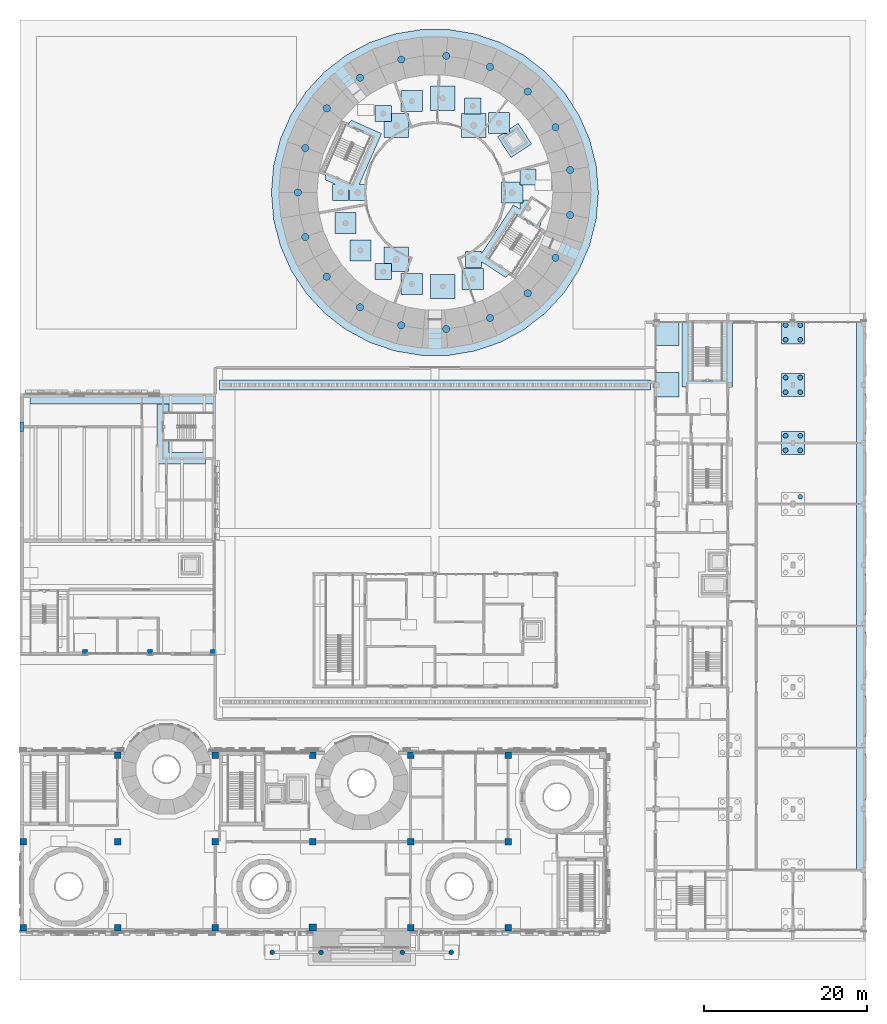
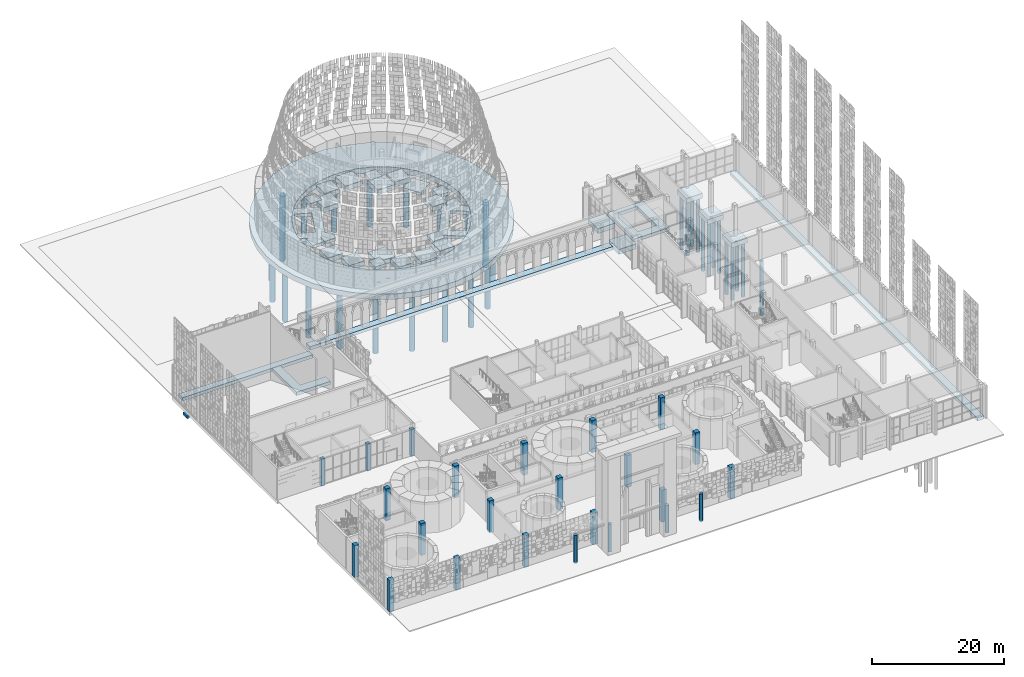
# One storey, part 2 of 125: 32 piles, 31 footings, 24 columns.
"""IFC4 building model written with IfcOpenShell, lengths in metres."""

from ifc_helpers import new_model, si_unit, direction, frame, origin, origin_2d, place, context, subcontext, project, spatial, polyline, rectangle, circle, outline, extrude, material, material_profile, profile_set, type_object, element, save


model = new_model("IFC4")

# Units and contexts
model_context = context("Model", 3, precision=1e-05, world=origin(), true_north=direction((0.0, 1.0)))
body_context = subcontext(model_context, "Body", "Model", "MODEL_VIEW")
ifc_project = project(units=[si_unit("LENGTHUNIT", "METRE"), si_unit("AREAUNIT", "SQUARE_METRE"), si_unit("VOLUMEUNIT", "CUBIC_METRE"), si_unit("PLANEANGLEUNIT", "RADIAN"), si_unit("MASSUNIT", "GRAM", prefix="KILO")], contexts=[model_context])

# Site, building, storey
site_placement = place(None, origin())
site = spatial("IfcSite", under=ifc_project, at=site_placement, CompositionType="ELEMENT")
building_placement = place(site_placement, origin())
building = spatial("IfcBuilding", under=site, at=building_placement, Name="Sun Court Science Centre", CompositionType="ELEMENT")
storey_placement = place(building_placement, origin())
storey = spatial("IfcBuildingStorey", under=building, at=storey_placement, Name="L00", CompositionType="ELEMENT", Elevation=0.0)

# Footing
ifc_material_1 = material(Name="Concrete C30/37", Category="concrete")
footing_type_1 = type_object("IfcFootingType", Name="Arcade strip footing 1200", PredefinedType="STRIP_FOOTING", material=ifc_material_1)
footing_1_placement = place(storey_placement, frame((51.0, 73.14990234375, -0.60009765625), z_axis=(0.0, 0.0, 1.0), x_axis=(1.0, 0.0, 0.0)))
element("IfcFooting", 1, at=footing_1_placement, inside=storey, type_object=footing_type_1, Name="Arcade strip footing AR2", PredefinedType="STRIP_FOOTING", context=body_context, shape_type="SweptSolid", body=[
    extrude(rectangle(XDim=53.0, YDim=1.199951171875, at=origin_2d()), origin(), (0.0, 0.0, 1.0), 0.60009765625),
])

# Piles
ifc_material_2 = material(Name="Concrete C30/37", Category="concrete")
ifc_material_profile_1 = material_profile(ifc_material_2, circle(Radius=0.300048828125, at=origin_2d()), Name="RC D600")
ifc_profile_set_1 = profile_set([ifc_material_profile_1], Name="Concrete C30/37")
pile_type_1 = type_object("IfcPileType", Name="Bored pile D600", PredefinedType="BORED", material=ifc_profile_set_1)
for number, where, z_axis, x_axis, name in (
    (2, (95.89990234375, 59.39990234375, -1.0), (0.0, 0.0, -1.0), (1.0, 0.0, 0.0), "Bored pile 15P 3"),
    (3, (94.10009765625, 65.10009765625, -1.0), (0.0, 0.0, -1.0), (1.0, 0.0, 0.0), "Bored pile 15R 1"),
    (4, (95.89990234375, 65.10009765625, -1.0), (0.0, 0.0, -1.0), (1.0, 0.0, 0.0), "Bored pile 15R 2"),
    (5, (95.89990234375, 66.89990234375, -1.0), (0.0, 0.0, -1.0), (1.0, 0.0, 0.0), "Bored pile 15R 3"),
    (6, (94.10009765625, 66.89990234375, -1.0), (0.0, 0.0, -1.0), (1.0, 0.0, 0.0), "Bored pile 15R 4"),
    (7, (94.10009765625, 72.25, -1.0), (0.0, 0.0, -1.0), (1.0, 0.0, 0.0), "Bored pile 15U 1"),
    (8, (95.89990234375, 72.25, -1.0), (0.0, 0.0, -1.0), (1.0, 0.0, 0.0), "Bored pile 15U 2"),
    (9, (95.89990234375, 74.050048828125, -1.0), (0.0, 0.0, -1.0), (1.0, 0.0, 0.0), "Bored pile 15U 3"),
    (10, (94.10009765625, 74.050048828125, -1.0), (0.0, 0.0, -1.0), (1.0, 0.0, 0.0), "Bored pile 15U 4"),
    (11, (94.10009765625, 78.699951171875, -1.0), (0.0, 0.0, -1.0), (1.0, 0.0, 0.0), "Bored pile 15V 1"),
    (12, (95.89990234375, 78.699951171875, -1.0), (0.0, 0.0, -1.0), (1.0, 0.0, 0.0), "Bored pile 15V 2"),
    (13, (95.89990234375, 80.5, -1.0), (0.0, 0.0, -1.0), (1.0, 0.0, 0.0), "Bored pile 15V 3"),
    (14, (94.10009765625, 80.5, -1.0), (0.0, 0.0, -1.0), (1.0, 0.0, 0.0), "Bored pile 15V 4"),
):
    element("IfcPile", number, at=place(storey_placement, frame(where, z_axis=z_axis, x_axis=x_axis)), inside=storey, type_object=pile_type_1, Name=name, PredefinedType="BORED", context=body_context, shape_type="SweptSolid", body=[
        extrude(circle(Radius=0.300048828125, at=origin_2d()), origin(), (0.0, 0.0, 1.0), 10.10009765625),
    ])
ifc_material_3 = material(Name="Concrete C30/37", Category="concrete")
ifc_material_profile_2 = material_profile(ifc_material_3, circle(Radius=0.449951171875, at=origin_2d()), Name="RC D900")
ifc_profile_set_2 = profile_set([ifc_material_profile_2], Name="Concrete C30/37")
pile_type_2 = type_object("IfcPileType", Name="Bored pile D900", PredefinedType="BORED", material=ifc_profile_set_2)
for number, where, z_axis, x_axis, name in (
    (15, (67.619384765625, 99.5732421875, -1.10009765625), (0.0, 0.0, -1.0), (1.0, 0.0, 0.0), "Drum bored pile 1"),
    (16, (65.818359375, 104.8193359375, -1.10009765625), (0.0, 0.0, -1.0), (1.0, 0.0, 0.0), "Drum bored pile 2"),
    (17, (62.41162109375, 109.1962890625, -1.10009765625), (0.0, 0.0, -1.0), (1.0, 0.0, 0.0), "Drum bored pile 3"),
    (18, (57.768310546875, 112.22998046875, -1.10009765625), (0.0, 0.0, -1.0), (1.0, 0.0, 0.0), "Drum bored pile 4"),
    (19, (52.391357421875, 113.591552734375, -1.10009765625), (0.0, 0.0, -1.0), (1.0, 0.0, 0.0), "Drum bored pile 5"),
    (20, (46.86376953125, 113.133544921875, -1.10009765625), (0.0, 0.0, -1.0), (1.0, 0.0, 0.0), "Drum bored pile 6"),
    (21, (41.784423828125, 110.905517578125, -1.10009765625), (0.0, 0.0, -1.0), (1.0, 0.0, 0.0), "Drum bored pile 7"),
    (22, (37.70361328125, 107.14892578125, -1.10009765625), (0.0, 0.0, -1.0), (1.0, 0.0, 0.0), "Drum bored pile 8"),
    (23, (35.063720703125, 102.27099609375, -1.10009765625), (0.0, 0.0, -1.0), (1.0, 0.0, 0.0), "Drum bored pile 9"),
    (24, (34.15087890625, 96.800048828125, -1.10009765625), (0.0, 0.0, -1.0), (1.0, 0.0, 0.0), "Drum bored pile 10"),
    (25, (35.063720703125, 91.3291015625, -1.10009765625), (0.0, 0.0, -1.0), (1.0, 0.0, 0.0), "Drum bored pile 11"),
    (26, (37.70361328125, 86.450927734375, -1.10009765625), (0.0, 0.0, -1.0), (1.0, 0.0, 0.0), "Drum bored pile 12"),
    (27, (41.784423828125, 82.694580078125, -1.10009765625), (0.0, 0.0, -1.0), (1.0, 0.0, 0.0), "Drum bored pile 13"),
    (28, (46.86376953125, 80.466552734375, -1.10009765625), (0.0, 0.0, -1.0), (1.0, 0.0, 0.0), "Drum bored pile 14"),
    (29, (52.391357421875, 80.00830078125, -1.10009765625), (0.0, 0.0, -1.0), (1.0, 0.0, 0.0), "Drum bored pile 15"),
    (30, (57.768310546875, 81.3701171875, -1.10009765625), (0.0, 0.0, -1.0), (1.0, 0.0, 0.0), "Drum bored pile 16"),
    (31, (62.41162109375, 84.403564453125, -1.10009765625), (0.0, 0.0, -1.0), (1.0, 0.0, 0.0), "Drum bored pile 17"),
    (32, (65.818359375, 88.78076171875, -1.10009765625), (0.0, 0.0, -1.0), (1.0, 0.0, 0.0), "Drum bored pile 18"),
    (33, (67.619384765625, 94.026611328125, -1.10009765625), (0.0, 0.0, -1.0), (1.0, 0.0, 0.0), "Drum bored pile 19"),
):
    element("IfcPile", number, at=place(storey_placement, frame(where, z_axis=z_axis, x_axis=x_axis)), inside=storey, type_object=pile_type_2, Name=name, PredefinedType="BORED", context=body_context, shape_type="SweptSolid", body=[
        extrude(circle(Radius=0.449951171875, at=origin_2d()), origin(), (0.0, 0.0, 1.0), 12.10009765625),
    ])

# Footings
ifc_material_4 = material(Name="Concrete C30/37", Category="concrete")
footing_type_2 = type_object("IfcFootingType", Name="Lift pit mat", PredefinedType="PAD_FOOTING", material=ifc_material_4)
footing_2_placement = place(storey_placement, frame((0.0, 0.0, -1.89990234375)))
element("IfcFooting", 34, at=footing_2_placement, inside=storey, type_object=footing_type_2, Name="Lift pit mat footing", PredefinedType="PAD_FOOTING", context=body_context, shape_type="SweptSolid", body=[
    extrude(outline(polyline([(60.35595703125, 101.105712890625), (62.888427734375, 102.76025390625), (61.23388671875, 105.292724609375), (58.701416015625, 103.63818359375), (60.35595703125, 101.105712890625)])), origin(), (0.0, 0.0, 1.0), 0.5),
])
ifc_material_5 = material(Name="Concrete C30/37", Category="concrete")
footing_type_3 = type_object("IfcFootingType", Name="Pad footing 2600 2600 900", PredefinedType="PAD_FOOTING", material=ifc_material_5)
for number, where, z_axis, x_axis, name in (
    (35, (60.5, 96.800048828125, -1.099853515625), (0.0, 0.0, 1.0), (1.0, 0.0, 0.0), "Pad footing A1"),
    (36, (58.8564453125, 105.33447265625, -1.099853515625), (0.0, 0.0, 1.0), (1.0, 0.0, 0.0), "Pad footing B03"),
    (37, (48.15234375, 108.044921875, -1.099853515625), (0.0, 0.0, 1.0), (1.0, 0.0, 0.0), "Pad footing B06"),
    (38, (40.028564453125, 93.033447265625, -1.099853515625), (0.0, 0.0, 1.0), (1.0, 0.0, 0.0), "Pad footing B11"),
    (39, (41.845947265625, 89.675048828125, -1.099853515625), (0.0, 0.0, 1.0), (1.0, 0.0, 0.0), "Pad footing B12"),
    (40, (48.15234375, 85.554931640625, -1.099853515625), (0.0, 0.0, 1.0), (1.0, 0.0, 0.0), "Pad footing B14"),
    (41, (55.65966796875, 86.177001953125, -1.099853515625), (0.0, 0.0, 1.0), (1.0, 0.0, 0.0), "Pad footing B16"),
):
    element("IfcFooting", number, at=place(storey_placement, frame(where, z_axis=z_axis, x_axis=x_axis)), inside=storey, type_object=footing_type_3, Name=name, PredefinedType="PAD_FOOTING", context=body_context, shape_type="SweptSolid", body=[
        extrude(rectangle(XDim=2.60009765625, YDim=2.60009765625, at=origin_2d()), origin(), (0.0, 0.0, 1.0), 0.89990234375),
    ])
ifc_material_6 = material(Name="Concrete C30/37", Category="concrete")
footing_type_4 = type_object("IfcFootingType", Name="Pad footing 3000 3000 900", PredefinedType="PAD_FOOTING", material=ifc_material_6)
for number, where, z_axis, x_axis, name in (
    (42, (79.5, 73.14990234375, -1.099853515625), (0.0, 0.0, 1.0), (1.0, 0.0, 0.0), "Pad footing 12U"),
    (43, (79.5, 79.5, -1.099853515625), (0.0, 0.0, 1.0), (1.0, 0.0, 0.0), "Pad footing 12V"),
    (44, (55.75, 105.02734375, -1.099853515625), (0.0, 0.0, 1.0), (1.0, 0.0, 0.0), "Pad footing A2"),
    (45, (46.25, 105.02734375, -1.099853515625), (0.0, 0.0, 1.0), (1.0, 0.0, 0.0), "Pad footing A3"),
    (46, (46.25, 88.57275390625, -1.099853515625), (0.0, 0.0, 1.0), (1.0, 0.0, 0.0), "Pad footing A5"),
    (47, (51.9580078125, 108.3603515625, -1.099853515625), (0.0, 0.0, 1.0), (1.0, 0.0, 0.0), "Pad footing B05"),
    (48, (51.9580078125, 85.239501953125, -1.099853515625), (0.0, 0.0, 1.0), (1.0, 0.0, 0.0), "Pad footing B15"),
):
    element("IfcFooting", number, at=place(storey_placement, frame(where, z_axis=z_axis, x_axis=x_axis)), inside=storey, type_object=footing_type_4, Name=name, PredefinedType="PAD_FOOTING", context=body_context, shape_type="SweptSolid", body=[
        extrude(rectangle(XDim=3.0, YDim=3.0, at=origin_2d()), origin(), (0.0, 0.0, 1.0), 0.89990234375),
    ])
ifc_material_7 = material(Name="Concrete C30/37", Category="concrete")
footing_type_5 = type_object("IfcFootingType", Name="Pile cap 2800 2800 900", PredefinedType="PILE_CAP", material=ifc_material_7)
for number, where, z_axis, x_axis, name in (
    (49, (95.0, 66.0, -1.099853515625), (0.0, 0.0, 1.0), (1.0, 0.0, 0.0), "Pile cap 15R"),
    (50, (95.0, 73.14990234375, -1.099853515625), (0.0, 0.0, 1.0), (1.0, 0.0, 0.0), "Pile cap 15U"),
    (51, (95.0, 79.60009765625, -1.099853515625), (0.0, 0.0, 1.0), (1.0, 0.0, 0.0), "Pile cap 15V"),
):
    element("IfcFooting", number, at=place(storey_placement, frame(where, z_axis=z_axis, x_axis=x_axis)), inside=storey, type_object=footing_type_5, Name=name, PredefinedType="PILE_CAP", context=body_context, shape_type="SweptSolid", body=[
        extrude(rectangle(XDim=2.800048828125, YDim=2.800048828125, at=origin_2d()), origin(), (0.0, 0.0, 1.0), 0.89990234375),
    ])
ifc_material_8 = material(Name="Concrete C30/37", Category="concrete")
footing_type_6 = type_object("IfcFootingType", Name="Ring pile cap", PredefinedType="PILE_CAP", material=ifc_material_8)
footing_3_placement = place(storey_placement, frame((0.0, 0.0, -1.199951171875)))
element("IfcFooting", 52, at=footing_3_placement, inside=storey, type_object=footing_type_6, Name="Drum ring pile cap", PredefinedType="PILE_CAP", context=body_context, shape_type="SweptSolid", body=[
    extrude(outline(polyline([(70.825927734375, 100.1083984375), (70.010986328125, 103.326416015625), (68.677490234375, 106.366455078125), (66.86181640625, 109.145751953125), (64.61328125, 111.588134765625), (61.99365234375, 113.626953125), (59.073974609375, 115.20703125), (55.934326171875, 116.284912109375), (52.659912109375, 116.831298828125), (49.340087890625, 116.831298828125), (46.065673828125, 116.284912109375), (42.926025390625, 115.20703125), (40.00634765625, 113.626953125), (37.38671875, 111.588134765625), (35.13818359375, 109.145751953125), (33.322509765625, 106.366455078125), (31.989013671875, 103.326416015625), (31.174072265625, 100.1083984375), (30.89990234375, 96.800048828125), (31.174072265625, 93.49169921875), (31.989013671875, 90.2734375), (33.322509765625, 87.2333984375), (35.13818359375, 84.454345703125), (37.38671875, 82.011962890625), (40.00634765625, 79.972900390625), (42.926025390625, 78.39306640625), (46.065673828125, 77.31494140625), (49.340087890625, 76.7685546875), (52.659912109375, 76.7685546875), (55.934326171875, 77.31494140625), (59.073974609375, 78.39306640625), (61.99365234375, 79.972900390625), (64.61328125, 82.011962890625), (66.86181640625, 84.454345703125), (68.677490234375, 87.2333984375), (70.010986328125, 90.2734375), (70.825927734375, 93.49169921875), (71.10009765625, 96.800048828125), (70.825927734375, 100.1083984375)]), holes=[polyline([(64.412841796875, 99.0380859375), (64.598388671875, 96.800048828125), (64.412841796875, 94.561767578125), (63.861572265625, 92.384765625), (62.959228515625, 90.327880859375), (61.73095703125, 88.44775390625), (60.2099609375, 86.79541015625), (58.4375, 85.416015625), (56.46240234375, 84.34716796875), (54.338134765625, 83.617919921875), (52.123046875, 83.248046875), (49.876953125, 83.248046875), (47.661865234375, 83.617919921875), (45.53759765625, 84.34716796875), (43.5625, 85.416015625), (41.7900390625, 86.79541015625), (40.26904296875, 88.44775390625), (39.040771484375, 90.327880859375), (38.138427734375, 92.384765625), (37.587158203125, 94.561767578125), (37.401611328125, 96.800048828125), (37.587158203125, 99.0380859375), (38.138427734375, 101.21533203125), (39.040771484375, 103.27197265625), (40.26904296875, 105.15234375), (41.7900390625, 106.8046875), (43.5625, 108.18408203125), (45.53759765625, 109.2529296875), (47.661865234375, 109.982177734375), (49.876953125, 110.351806640625), (52.123046875, 110.351806640625), (54.338134765625, 109.982177734375), (56.46240234375, 109.2529296875), (58.4375, 108.18408203125), (60.2099609375, 106.8046875), (61.73095703125, 105.15234375), (62.959228515625, 103.27197265625), (63.861572265625, 101.21533203125), (64.412841796875, 99.0380859375)])]), origin(), (0.0, 0.0, 1.0), 1.0),
])
ifc_material_9 = material(Name="Concrete C30/37", Category="concrete")
footing_type_7 = type_object("IfcFootingType", Name="Strip footing", PredefinedType="STRIP_FOOTING", material=ifc_material_9)
footing_4_placement = place(storey_placement, frame((0.0, 0.0, -0.800048828125)))
element("IfcFooting", 53, at=footing_4_placement, inside=storey, type_object=footing_type_7, Name="Strip footing", PredefinedType="STRIP_FOOTING", context=body_context, shape_type="SweptSolid", body=[
    extrude(outline(polyline([(87.60009765625, 72.89990234375), (87.60009765625, 81.0), (81.39990234375, 81.0), (81.39990234375, 72.89990234375), (87.60009765625, 72.89990234375)]), holes=[polyline([(86.14990234375, 80.14990234375), (86.14990234375, 74.35009765625), (82.85009765625, 74.35009765625), (82.85009765625, 80.14990234375), (86.14990234375, 80.14990234375)])]), origin(), (0.0, 0.0, 1.0), 0.60009765625),
])
footing_5_placement = place(storey_placement, frame((0.0, 0.0, -0.800048828125)))
element("IfcFooting", 54, at=footing_5_placement, inside=storey, type_object=footing_type_7, Name="Strip footing", PredefinedType="STRIP_FOOTING", context=body_context, shape_type="SweptSolid", body=[
    extrude(outline(polyline([(104.0, 81.0), (102.800048828125, 81.0), (102.800048828125, 6.0), (104.0, 6.0), (104.0, 81.0)])), origin(), (0.0, 0.0, 1.0), 0.60009765625),
])
footing_6_placement = place(storey_placement, frame((0.0, 0.0, -0.800048828125)))
element("IfcFooting", 55, at=footing_6_placement, inside=storey, type_object=footing_type_7, Name="Theatre strip footing", PredefinedType="STRIP_FOOTING", context=body_context, shape_type="SweptSolid", body=[
    extrude(outline(polyline([(24.0, 72.0), (1.199951171875, 72.0), (1.199951171875, 70.800048828125), (24.0, 70.800048828125), (24.0, 72.0)])), origin(), (0.0, 0.0, 1.0), 0.60009765625),
])
footing_7_placement = place(storey_placement, frame((0.0, 0.0, -0.800048828125)))
element("IfcFooting", 56, at=footing_7_placement, inside=storey, type_object=footing_type_7, Name="Theatre strip footing", PredefinedType="STRIP_FOOTING", context=body_context, shape_type="SweptSolid", body=[
    extrude(outline(polyline([(16.85009765625, 70.800048828125), (16.85009765625, 63.39990234375), (22.800048828125, 63.39990234375), (22.800048828125, 64.85009765625), (18.300048828125, 64.85009765625), (18.300048828125, 70.800048828125), (16.85009765625, 70.800048828125)])), origin(), (0.0, 0.0, 1.0), 0.60009765625),
])
footing_8_placement = place(storey_placement, frame((0.0, 0.0, -1.622314453125)))
element("IfcFooting", 57, at=footing_8_placement, inside=storey, type_object=footing_type_7, Name="Stage-front strip footing", PredefinedType="STRIP_FOOTING", context=body_context, shape_type="SweptSolid", body=[
    extrude(outline(polyline([(0.0, 67.39990234375), (0.39990234375, 67.39990234375), (0.39990234375, 68.60009765625), (0.0, 68.60009765625), (0.0, 67.39990234375)])), origin(), (0.0, 0.0, 1.0), 0.5),
])
footing_9_placement = place(storey_placement, frame((0.0, 0.0, -0.800048828125)))
element("IfcFooting", 58, at=footing_9_placement, inside=storey, type_object=footing_type_7, Name="Core strip footing", PredefinedType="STRIP_FOOTING", context=body_context, shape_type="SweptSolid", body=[
    extrude(outline(polyline([(38.39990234375, 95.800048828125), (40.39990234375, 95.800048828125), (40.39990234375, 97.081787109375), (40.5, 97.037841796875), (40.5, 95.800048828125), (42.5, 95.800048828125), (42.5, 97.800048828125), (41.719970703125, 97.800048828125), (44.456298828125, 104.0380859375), (40.742919921875, 105.6669921875), (40.26904296875, 105.15234375), (39.040771484375, 103.27197265625), (38.138427734375, 101.21533203125), (37.587158203125, 99.0380859375), (37.529296875, 98.3408203125), (38.762451171875, 97.800048828125), (38.39990234375, 97.800048828125), (38.39990234375, 95.800048828125)]), holes=[polyline([(40.073486328125, 104.37744140625), (42.546142578125, 103.292724609375), (40.497314453125, 98.622314453125), (38.02490234375, 99.706787109375), (40.073486328125, 104.37744140625)])]), origin(), (0.0, 0.0, 1.0), 0.60009765625),
])
footing_10_placement = place(storey_placement, frame((0.0, 0.0, -0.800048828125)))
element("IfcFooting", 59, at=footing_10_placement, inside=storey, type_object=footing_type_7, Name="Core strip footing", PredefinedType="STRIP_FOOTING", context=body_context, shape_type="SweptSolid", body=[
    extrude(outline(polyline([(45.655517578125, 86.0888671875), (45.655517578125, 88.0888671875), (43.655517578125, 88.0888671875), (43.655517578125, 86.0888671875), (45.655517578125, 86.0888671875)])), origin(), (0.0, 0.0, 1.0), 0.60009765625),
])
footing_11_placement = place(storey_placement, frame((0.0, 0.0, -0.800048828125)))
element("IfcFooting", 60, at=footing_11_placement, inside=storey, type_object=footing_type_7, Name="Core strip footing", PredefinedType="STRIP_FOOTING", context=body_context, shape_type="SweptSolid", body=[
    extrude(outline(polyline([(43.655517578125, 105.51123046875), (45.655517578125, 105.51123046875), (45.655517578125, 107.51123046875), (43.655517578125, 107.51123046875), (43.655517578125, 105.51123046875)])), origin(), (0.0, 0.0, 1.0), 0.60009765625),
])
footing_12_placement = place(storey_placement, frame((0.0, 0.0, -0.800048828125)))
element("IfcFooting", 61, at=footing_12_placement, inside=storey, type_object=footing_type_7, Name="Core strip footing", PredefinedType="STRIP_FOOTING", context=body_context, shape_type="SweptSolid", body=[
    extrude(outline(polyline([(54.65966796875, 106.4228515625), (56.65966796875, 106.4228515625), (56.65966796875, 108.4228515625), (54.65966796875, 108.4228515625), (54.65966796875, 106.4228515625)])), origin(), (0.0, 0.0, 1.0), 0.60009765625),
])
footing_13_placement = place(storey_placement, frame((0.0, 0.0, -0.800048828125)))
element("IfcFooting", 62, at=footing_13_placement, inside=storey, type_object=footing_type_7, Name="Core strip footing", PredefinedType="STRIP_FOOTING", context=body_context, shape_type="SweptSolid", body=[
    extrude(outline(polyline([(56.75, 89.328857421875), (56.75, 89.57275390625), (54.75, 89.57275390625), (54.75, 87.57275390625), (56.75, 87.57275390625), (56.75, 88.265380859375), (59.65771484375, 86.36572265625), (60.2099609375, 86.79541015625), (61.73095703125, 88.44775390625), (62.959228515625, 90.327880859375), (63.861572265625, 92.384765625), (64.033203125, 93.06298828125), (62.766357421875, 93.890625), (63.44189453125, 93.890625), (63.44189453125, 95.890625), (61.44189453125, 95.890625), (61.44189453125, 94.756103515625), (60.638671875, 95.28076171875), (56.75, 89.328857421875)]), holes=[polyline([(60.5302734375, 87.527587890625), (58.27001953125, 89.00439453125), (61.059326171875, 93.27392578125), (63.31982421875, 91.797119140625), (60.5302734375, 87.527587890625)])]), origin(), (0.0, 0.0, 1.0), 0.60009765625),
])
footing_14_placement = place(storey_placement, frame((0.0, 0.0, -0.800048828125)))
element("IfcFooting", 63, at=footing_14_placement, inside=storey, type_object=footing_type_7, Name="Core strip footing", PredefinedType="STRIP_FOOTING", context=body_context, shape_type="SweptSolid", body=[
    extrude(outline(polyline([(63.44189453125, 97.709228515625), (63.44189453125, 99.709228515625), (61.44189453125, 99.709228515625), (61.44189453125, 97.709228515625), (63.44189453125, 97.709228515625)])), origin(), (0.0, 0.0, 1.0), 0.60009765625),
])

# Columns
ifc_material_10 = material(Name="Concrete C30/37", Category="concrete")
ifc_material_profile_3 = material_profile(ifc_material_10, rectangle(XDim=0.60009765625, YDim=0.60009765625, at=origin_2d()), Name="RC 600x600")
ifc_profile_set_3 = profile_set([ifc_material_profile_3], Name="Concrete C30/37")
column_type_1 = type_object("IfcColumnType", Name="RC column 600x600", PredefinedType="COLUMN", material=ifc_profile_set_3)
for number, where, z_axis, x_axis, name in (
    (64, (8.0, 40.300048828125, -0.199951171875), (0.0, 0.0, 1.0), (1.0, 0.0, 0.0), "Foyer column A"),
    (65, (16.0, 40.300048828125, -0.199951171875), (0.0, 0.0, 1.0), (1.0, 0.0, 0.0), "Foyer column B"),
    (66, (23.699951171875, 40.300048828125, -0.199951171875), (0.0, 0.0, 1.0), (1.0, 0.0, 0.0), "Foyer column C"),
):
    element("IfcColumn", number, at=place(storey_placement, frame(where, z_axis=z_axis, x_axis=x_axis)), inside=storey, type_object=column_type_1, Name=name, PredefinedType="COLUMN", context=body_context, shape_type="SweptSolid", body=[
        extrude(rectangle(XDim=0.60009765625, YDim=0.60009765625, at=origin_2d()), origin(), (0.0, 0.0, 1.0), 5.0),
    ])
ifc_material_11 = material(Name="Concrete C30/37", Category="concrete")
ifc_material_profile_4 = material_profile(ifc_material_11, rectangle(XDim=0.800048828125, YDim=0.800048828125, at=origin_2d()), Name="RC 800x800")
ifc_profile_set_4 = profile_set([ifc_material_profile_4], Name="Concrete C30/37")
column_type_2 = type_object("IfcColumnType", Name="RC column 800x800", PredefinedType="COLUMN", material=ifc_profile_set_4)
for number, where, z_axis, x_axis, name in (
    (67, (0.39990234375, 6.39990234375, -0.199951171875), (0.0, 0.0, 1.0), (1.0, 0.0, 0.0), "Column 1A L00"),
    (68, (0.39990234375, 17.0, -0.199951171875), (0.0, 0.0, 1.0), (1.0, 0.0, 0.0), "Column 1C L00"),
    (69, (12.0, 6.39990234375, -0.199951171875), (0.0, 0.0, 1.0), (1.0, 0.0, 0.0), "Column 2A L00"),
    (70, (12.0, 17.0, -0.199951171875), (0.0, 0.0, 1.0), (1.0, 0.0, 0.0), "Column 2C L00"),
    (71, (12.0, 27.60009765625, -0.199951171875), (0.0, 0.0, 1.0), (1.0, 0.0, 0.0), "Column 2E L00"),
    (72, (24.0, 6.39990234375, -0.199951171875), (0.0, 0.0, 1.0), (1.0, 0.0, 0.0), "Column 3A L00"),
    (73, (24.0, 17.0, -0.199951171875), (0.0, 0.0, 1.0), (1.0, 0.0, 0.0), "Column 3C L00"),
    (74, (24.0, 27.60009765625, -0.199951171875), (0.0, 0.0, 1.0), (1.0, 0.0, 0.0), "Column 3E L00"),
    (75, (36.0, 17.0, -0.199951171875), (0.0, 0.0, 1.0), (1.0, 0.0, 0.0), "Column 4C L00"),
    (76, (36.0, 27.60009765625, -0.199951171875), (0.0, 0.0, 1.0), (1.0, 0.0, 0.0), "Column 4E L00"),
    (77, (48.0, 6.39990234375, -0.199951171875), (0.0, 0.0, 1.0), (1.0, 0.0, 0.0), "Column 6A L00"),
    (78, (48.0, 17.0, -0.199951171875), (0.0, 0.0, 1.0), (1.0, 0.0, 0.0), "Column 6C L00"),
    (79, (48.0, 27.60009765625, -0.199951171875), (0.0, 0.0, 1.0), (1.0, 0.0, 0.0), "Column 6E L00"),
    (80, (60.0, 6.39990234375, -0.199951171875), (0.0, 0.0, 1.0), (1.0, 0.0, 0.0), "Column 9A L00"),
    (81, (60.0, 17.0, -0.199951171875), (0.0, 0.0, 1.0), (1.0, 0.0, 0.0), "Column 9C L00"),
    (82, (60.0, 27.60009765625, -0.199951171875), (0.0, 0.0, 1.0), (1.0, 0.0, 0.0), "Column 9E L00"),
):
    element("IfcColumn", number, at=place(storey_placement, frame(where, z_axis=z_axis, x_axis=x_axis)), inside=storey, type_object=column_type_2, Name=name, PredefinedType="COLUMN", context=body_context, shape_type="SweptSolid", body=[
        extrude(rectangle(XDim=0.800048828125, YDim=0.800048828125, at=origin_2d()), origin(), (0.0, 0.0, 1.0), 5.89990234375),
    ])
ifc_material_12 = material(Name="Concrete C30/37", Category="concrete")
ifc_material_profile_5 = material_profile(ifc_material_12, rectangle(XDim=0.89990234375, YDim=0.89990234375, at=origin_2d()), Name="RC 900x900")
ifc_profile_set_5 = profile_set([ifc_material_profile_5], Name="Concrete C30/37")
column_type_3 = type_object("IfcColumnType", Name="RC column 900x900", PredefinedType="COLUMN", material=ifc_profile_set_5)
column_placement = place(storey_placement, frame((36.0, 6.449951171875, -0.199951171875), z_axis=(0.0, 0.0, 1.0), x_axis=(1.0, 0.0, 0.0)))
element("IfcColumn", 83, at=column_placement, inside=storey, type_object=column_type_3, Name="Column 4A L00", PredefinedType="COLUMN", context=body_context, shape_type="SweptSolid", body=[
    extrude(rectangle(XDim=0.89990234375, YDim=0.89990234375, at=origin_2d()), origin(), (0.0, 0.0, 1.0), 5.89990234375),
])
ifc_material_13 = material(Name="Concrete C30/37", Category="concrete")
ifc_material_profile_6 = material_profile(ifc_material_13, circle(Radius=0.300048828125, at=origin_2d()), Name="RC D600")
ifc_profile_set_6 = profile_set([ifc_material_profile_6], Name="Concrete C30/37")
column_type_4 = type_object("IfcColumnType", Name="RC column D600", PredefinedType="COLUMN", material=ifc_profile_set_6)
for number, where, z_axis, x_axis, name in (
    (84, (31.0, 3.39990234375, -0.199951171875), (0.0, 0.0, 1.0), (1.0, 0.0, 0.0), "Canopy pier CP1"),
    (85, (37.0, 3.39990234375, -0.199951171875), (0.0, 0.0, 1.0), (1.0, 0.0, 0.0), "Canopy pier CP2"),
    (86, (47.0, 3.39990234375, -0.199951171875), (0.0, 0.0, 1.0), (1.0, 0.0, 0.0), "Canopy pier CP3"),
    (87, (53.0, 3.39990234375, -0.199951171875), (0.0, 0.0, 1.0), (1.0, 0.0, 0.0), "Canopy pier CP4"),
):
    element("IfcColumn", number, at=place(storey_placement, frame(where, z_axis=z_axis, x_axis=x_axis)), inside=storey, type_object=column_type_4, Name=name, PredefinedType="COLUMN", context=body_context, shape_type="SweptSolid", body=[
        extrude(circle(Radius=0.300048828125, at=origin_2d()), origin(), (0.0, 0.0, 1.0), 5.159912109375),
    ])

save(model, "model.ifc")
